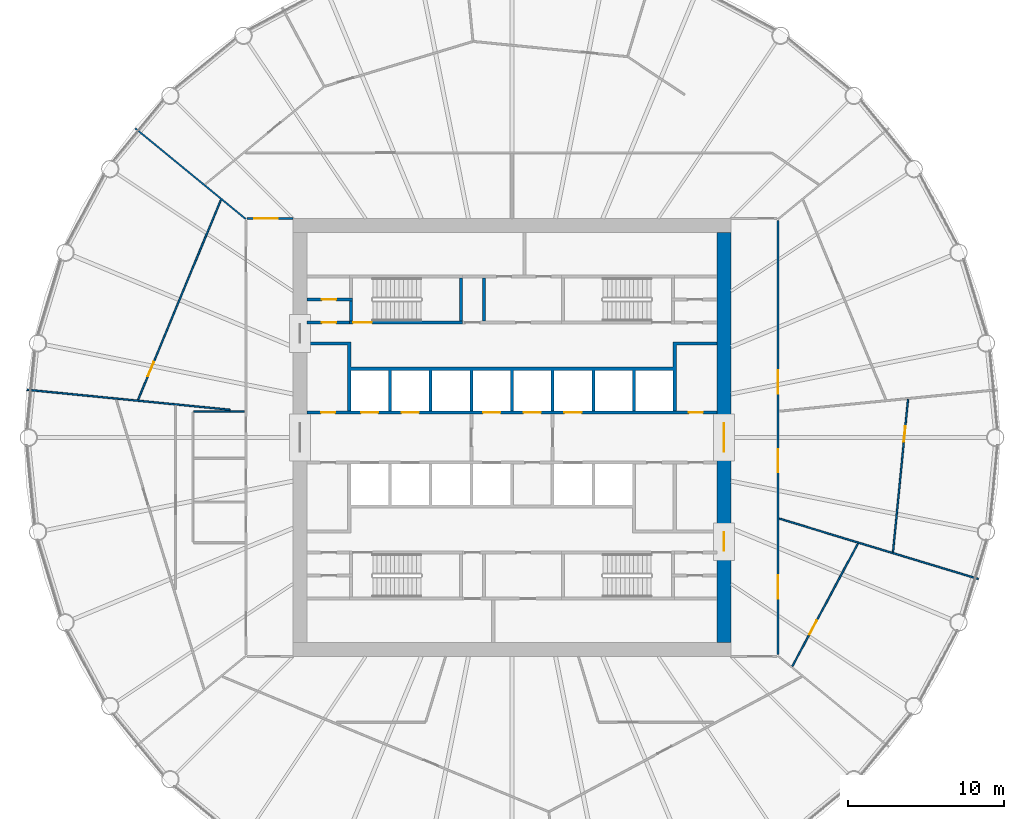
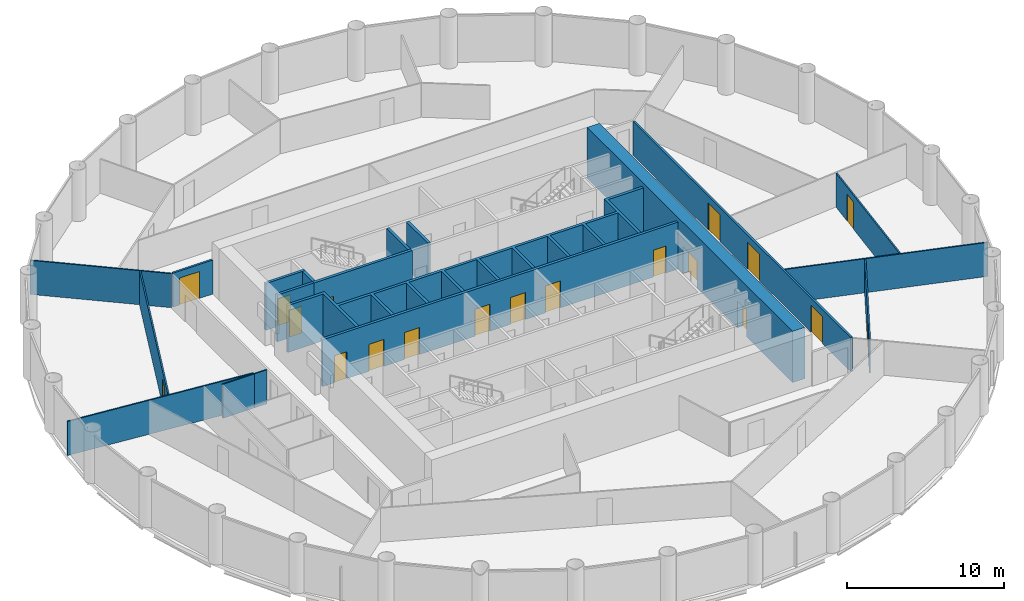
# One storey, part 6 of 9: 19 doors, 19 walls, 19 openings.
"""IFC4 building model written with IfcOpenShell, lengths in metres."""

from ifc_helpers import new_model, si_unit, direction, frame, frame_2d, origin, place, context, subcontext, project, spatial, polyline, rectangle, outline, extrude, material, layer, layer_set, type_object, element, fill, save


model = new_model("IFC4")

# Units and contexts
model_context = context("Model", 3, precision=1e-05, world=origin(), true_north=direction((0.0, 1.0)))
body_context = subcontext(model_context, "Body", "Model", "MODEL_VIEW")
ifc_project = project(units=[si_unit("LENGTHUNIT", "METRE"), si_unit("AREAUNIT", "SQUARE_METRE"), si_unit("VOLUMEUNIT", "CUBIC_METRE"), si_unit("PLANEANGLEUNIT", "RADIAN"), si_unit("MASSUNIT", "GRAM", prefix="KILO")], contexts=[model_context])

# Site, building, storey
site_placement = place(None, origin())
site = spatial("IfcSite", under=ifc_project, at=site_placement, CompositionType="ELEMENT")
building_placement = place(site_placement, origin())
building = spatial("IfcBuilding", under=site, at=building_placement, Name="Corvane Civic Tower", CompositionType="ELEMENT")
storey_placement = place(building_placement, frame((0.0, 0.0, 192.0)))
storey = spatial("IfcBuildingStorey", under=building, at=storey_placement, Name="L45", CompositionType="ELEMENT", Elevation=192.0)

# Wall, openings, doors
ifc_material_1 = material(Name="Concrete C60/75", Category="concrete")
ifc_layer_1 = layer(ifc_material_1, 0.89990234375)
ifc_layer_set_1 = layer_set([ifc_layer_1], Name="Concrete C60/75")
wall_type_1 = type_object("IfcWallType", Name="CORE WALL 900 C60/75", PredefinedType="SHEAR", material=ifc_layer_set_1)
wall_1_placement = place(storey_placement, frame((13.550048828125, -13.10009765625, 0.0), z_axis=(0.0, 0.0, 1.0), x_axis=(0.0, 1.0, 0.0)))
wall_1 = element("IfcWall", 1, at=wall_1_placement, inside=storey, type_object=wall_type_1, Name="W-L45-core-E", PredefinedType="SHEAR", context=body_context, shape_type="SweptSolid", body=[
    extrude(rectangle(XDim=26.2001953125, YDim=0.89990234375, at=frame_2d((13.10009765625, 0.0))), origin(), (0.0, 0.0, 1.0), 4.0),
])
opening_1_placement = place(wall_1_placement, frame((12.199951171875, 0.0, 0.0)))
opening_1 = element("IfcOpeningElement", 2, at=opening_1_placement, cuts=wall_1, Name="Opening L45.C30", PredefinedType="OPENING", context=body_context, shape_type="SweptSolid", body=[
    extrude(rectangle(XDim=1.800048828125, YDim=2.10009765625, at=frame_2d((0.89990234375, 1.050048828125))), frame((0.0, 0.4599609375, 0.0), z_axis=(0.0, -1.0, 0.0), x_axis=(1.0, 0.0, 0.0)), (0.0, 0.0, 1.0), 0.919921875),
])
opening_2_placement = place(wall_1_placement, frame((5.85009765625, 0.0, 0.0)))
opening_2 = element("IfcOpeningElement", 3, at=opening_2_placement, cuts=wall_1, Name="Opening L45.C32", PredefinedType="OPENING", context=body_context, shape_type="SweptSolid", body=[
    extrude(rectangle(XDim=1.199951171875, YDim=2.10009765625, at=frame_2d((0.60009765625, 1.050048828125))), frame((0.0, 0.4599609375, 0.0), z_axis=(0.0, -1.0, 0.0), x_axis=(1.0, 0.0, 0.0)), (0.0, 0.0, 1.0), 0.919921875),
])
ifc_material_2 = material(Name="Steel fire door leaf", Category="steel")
door_type_1 = type_object("IfcDoorType", Name="CR-DOOR-CORE-1800", OperationType="DOUBLE_DOOR_SINGLE_SWING", PredefinedType="DOOR", material=ifc_material_2)
door_1_placement = place(opening_1_placement, origin())
door_1 = element("IfcDoor", 4, at=door_1_placement, inside=storey, type_object=door_type_1, Name="L45 door", OperationType="DOUBLE_DOOR_SINGLE_SWING", OverallHeight=2.10009765625, OverallWidth=1.800048828125, PredefinedType="DOOR", context=body_context, shape_type="SweptSolid", body=[
    extrude(rectangle(XDim=1.800048828125, YDim=2.10009765625, at=frame_2d((0.89990234375, 1.050048828125))), frame((0.0, 0.02490234375, 0.0), z_axis=(0.0, -1.0, 0.0), x_axis=(1.0, 0.0, 0.0)), (0.0, 0.0, 1.0), 0.050048828125),
])
fill(opening_1, door_1)
door_2_placement = place(opening_2_placement, origin())
door_2 = element("IfcDoor", 5, at=door_2_placement, inside=storey, type_object=door_type_1, Name="L45 door", OperationType="DOUBLE_DOOR_SINGLE_SWING", OverallHeight=2.10009765625, OverallWidth=1.199951171875, PredefinedType="DOOR", context=body_context, shape_type="SweptSolid", body=[
    extrude(rectangle(XDim=1.199951171875, YDim=2.10009765625, at=frame_2d((0.60009765625, 1.050048828125))), frame((0.0, 0.02490234375, 0.0), z_axis=(0.0, -1.0, 0.0), x_axis=(1.0, 0.0, 0.0)), (0.0, 0.0, 1.0), 0.050048828125),
])
fill(opening_2, door_2)

ifc_material_3 = material(Name="Concrete C30/37", Category="concrete")
ifc_layer_2 = layer(ifc_material_3, 0.199951171875)
ifc_layer_set_2 = layer_set([ifc_layer_2], Name="Concrete C30/37")
wall_type_2 = type_object("IfcWallType", Name="CR-WALL-200", PredefinedType="PARTITIONING", material=ifc_layer_set_2)
wall_2_placement = place(storey_placement, frame((-13.10009765625, 1.60009765625, 0.0), z_axis=(0.0, 0.0, 1.0), x_axis=(1.0, 0.0, 0.0)))
wall_2 = element("IfcWall", 6, at=wall_2_placement, inside=storey, type_object=wall_type_2, Name="L45 lift shaft wall", PredefinedType="PARTITIONING", context=body_context, shape_type="SweptSolid", body=[
    extrude(rectangle(XDim=26.2001953125, YDim=0.199951171875, at=frame_2d((13.10009765625, 0.0))), origin(), (0.0, 0.0, 1.0), 3.64990234375),
])
opening_3_placement = place(wall_2_placement, frame((3.449951171875, 0.0, 0.0)))
opening_3 = element("IfcOpeningElement", 7, at=opening_3_placement, cuts=wall_2, Name="Opening LD", PredefinedType="OPENING", context=body_context, shape_type="SweptSolid", body=[
    extrude(rectangle(XDim=1.10009765625, YDim=2.10009765625, at=frame_2d((0.550048828125, 1.050048828125))), frame((0.0, 0.10986328125, 0.0), z_axis=(0.0, -1.0, 0.0), x_axis=(1.0, 0.0, 0.0)), (0.0, 0.0, 1.0), 0.219970703125),
])
opening_4_placement = place(wall_2_placement, frame((6.050048828125, 0.0, 0.0)))
opening_4 = element("IfcOpeningElement", 8, at=opening_4_placement, cuts=wall_2, Name="Opening LD", PredefinedType="OPENING", context=body_context, shape_type="SweptSolid", body=[
    extrude(rectangle(XDim=1.10009765625, YDim=2.10009765625, at=frame_2d((0.550048828125, 1.050048828125))), frame((0.0, 0.10986328125, 0.0), z_axis=(0.0, -1.0, 0.0), x_axis=(1.0, 0.0, 0.0)), (0.0, 0.0, 1.0), 0.219970703125),
])
opening_5_placement = place(wall_2_placement, frame((11.25, 0.0, 0.0)))
opening_5 = element("IfcOpeningElement", 9, at=opening_5_placement, cuts=wall_2, Name="Opening LD", PredefinedType="OPENING", context=body_context, shape_type="SweptSolid", body=[
    extrude(rectangle(XDim=1.10009765625, YDim=2.10009765625, at=frame_2d((0.550048828125, 1.050048828125))), frame((0.0, 0.10986328125, 0.0), z_axis=(0.0, -1.0, 0.0), x_axis=(1.0, 0.0, 0.0)), (0.0, 0.0, 1.0), 0.219970703125),
])
opening_6_placement = place(wall_2_placement, frame((13.85009765625, 0.0, 0.0)))
opening_6 = element("IfcOpeningElement", 10, at=opening_6_placement, cuts=wall_2, Name="Opening LD", PredefinedType="OPENING", context=body_context, shape_type="SweptSolid", body=[
    extrude(rectangle(XDim=1.10009765625, YDim=2.10009765625, at=frame_2d((0.550048828125, 1.050048828125))), frame((0.0, 0.10986328125, 0.0), z_axis=(0.0, -1.0, 0.0), x_axis=(1.0, 0.0, 0.0)), (0.0, 0.0, 1.0), 0.219970703125),
])
opening_7_placement = place(wall_2_placement, frame((16.449951171875, 0.0, 0.0)))
opening_7 = element("IfcOpeningElement", 11, at=opening_7_placement, cuts=wall_2, Name="Opening LD", PredefinedType="OPENING", context=body_context, shape_type="SweptSolid", body=[
    extrude(rectangle(XDim=1.10009765625, YDim=2.10009765625, at=frame_2d((0.550048828125, 1.050048828125))), frame((0.0, 0.10986328125, 0.0), z_axis=(0.0, -1.0, 0.0), x_axis=(1.0, 0.0, 0.0)), (0.0, 0.0, 1.0), 0.219970703125),
])
opening_8_placement = place(wall_2_placement, frame((0.89990234375, 0.0, 0.0)))
opening_8 = element("IfcOpeningElement", 12, at=opening_8_placement, cuts=wall_2, Name="Opening L45.C01", PredefinedType="OPENING", context=body_context, shape_type="SweptSolid", body=[
    extrude(rectangle(XDim=0.89990234375, YDim=2.10009765625, at=frame_2d((0.449951171875, 1.050048828125))), frame((0.0, 0.10986328125, 0.0), z_axis=(0.0, -1.0, 0.0), x_axis=(1.0, 0.0, 0.0)), (0.0, 0.0, 1.0), 0.219970703125),
])
opening_9_placement = place(wall_2_placement, frame((24.39990234375, 0.0, 0.0)))
opening_9 = element("IfcOpeningElement", 13, at=opening_9_placement, cuts=wall_2, Name="Opening L45.C02", PredefinedType="OPENING", context=body_context, shape_type="SweptSolid", body=[
    extrude(rectangle(XDim=0.89990234375, YDim=2.10009765625, at=frame_2d((0.449951171875, 1.050048828125))), frame((0.0, 0.10986328125, 0.0), z_axis=(0.0, -1.0, 0.0), x_axis=(1.0, 0.0, 0.0)), (0.0, 0.0, 1.0), 0.219970703125),
])
ifc_material_4 = material(Name="Steel fire door leaf", Category="steel")
door_type_2 = type_object("IfcDoorType", Name="CR-DOOR-900", OperationType="SINGLE_SWING_LEFT", PredefinedType="DOOR", material=ifc_material_4)
door_3_placement = place(opening_8_placement, origin())
door_3 = element("IfcDoor", 14, at=door_3_placement, inside=storey, type_object=door_type_2, Name="L45 door", OperationType="SINGLE_SWING_LEFT", OverallHeight=2.10009765625, OverallWidth=0.89990234375, PredefinedType="DOOR", context=body_context, shape_type="SweptSolid", body=[
    extrude(rectangle(XDim=0.89990234375, YDim=2.10009765625, at=frame_2d((0.449951171875, 1.050048828125))), frame((0.0, 0.02490234375, 0.0), z_axis=(0.0, -1.0, 0.0), x_axis=(1.0, 0.0, 0.0)), (0.0, 0.0, 1.0), 0.050048828125),
])
fill(opening_8, door_3)
door_4_placement = place(opening_9_placement, origin())
door_4 = element("IfcDoor", 15, at=door_4_placement, inside=storey, type_object=door_type_2, Name="L45 door", OperationType="SINGLE_SWING_LEFT", OverallHeight=2.10009765625, OverallWidth=0.89990234375, PredefinedType="DOOR", context=body_context, shape_type="SweptSolid", body=[
    extrude(rectangle(XDim=0.89990234375, YDim=2.10009765625, at=frame_2d((0.449951171875, 1.050048828125))), frame((0.0, 0.02490234375, 0.0), z_axis=(0.0, -1.0, 0.0), x_axis=(1.0, 0.0, 0.0)), (0.0, 0.0, 1.0), 0.050048828125),
])
fill(opening_9, door_4)
ifc_material_5 = material(Name="Stainless steel 316 door leaves", Category="steel")
door_type_3 = type_object("IfcDoorType", Name="LD", OperationType="DOUBLE_DOOR_SLIDING", PredefinedType="DOOR", material=ifc_material_5)
door_5_placement = place(opening_3_placement, origin())
door_5 = element("IfcDoor", 16, at=door_5_placement, inside=storey, type_object=door_type_3, Name="L45 landing door", OperationType="DOUBLE_DOOR_SLIDING", OverallHeight=2.10009765625, OverallWidth=1.10009765625, PredefinedType="DOOR", context=body_context, shape_type="SweptSolid", body=[
    extrude(rectangle(XDim=1.10009765625, YDim=2.10009765625, at=frame_2d((0.550048828125, 1.050048828125))), frame((0.0, 0.02490234375, 0.0), z_axis=(0.0, -1.0, 0.0), x_axis=(1.0, 0.0, 0.0)), (0.0, 0.0, 1.0), 0.050048828125),
])
fill(opening_3, door_5)
door_6_placement = place(opening_4_placement, origin())
door_6 = element("IfcDoor", 17, at=door_6_placement, inside=storey, type_object=door_type_3, Name="L45 landing door", OperationType="DOUBLE_DOOR_SLIDING", OverallHeight=2.10009765625, OverallWidth=1.10009765625, PredefinedType="DOOR", context=body_context, shape_type="SweptSolid", body=[
    extrude(rectangle(XDim=1.10009765625, YDim=2.10009765625, at=frame_2d((0.550048828125, 1.050048828125))), frame((0.0, 0.02490234375, 0.0), z_axis=(0.0, -1.0, 0.0), x_axis=(1.0, 0.0, 0.0)), (0.0, 0.0, 1.0), 0.050048828125),
])
fill(opening_4, door_6)
door_7_placement = place(opening_5_placement, origin())
door_7 = element("IfcDoor", 18, at=door_7_placement, inside=storey, type_object=door_type_3, Name="L45 landing door", OperationType="DOUBLE_DOOR_SLIDING", OverallHeight=2.10009765625, OverallWidth=1.10009765625, PredefinedType="DOOR", context=body_context, shape_type="SweptSolid", body=[
    extrude(rectangle(XDim=1.10009765625, YDim=2.10009765625, at=frame_2d((0.550048828125, 1.050048828125))), frame((0.0, 0.02490234375, 0.0), z_axis=(0.0, -1.0, 0.0), x_axis=(1.0, 0.0, 0.0)), (0.0, 0.0, 1.0), 0.050048828125),
])
fill(opening_5, door_7)
door_8_placement = place(opening_6_placement, origin())
door_8 = element("IfcDoor", 19, at=door_8_placement, inside=storey, type_object=door_type_3, Name="L45 landing door", OperationType="DOUBLE_DOOR_SLIDING", OverallHeight=2.10009765625, OverallWidth=1.10009765625, PredefinedType="DOOR", context=body_context, shape_type="SweptSolid", body=[
    extrude(rectangle(XDim=1.10009765625, YDim=2.10009765625, at=frame_2d((0.550048828125, 1.050048828125))), frame((0.0, 0.02490234375, 0.0), z_axis=(0.0, -1.0, 0.0), x_axis=(1.0, 0.0, 0.0)), (0.0, 0.0, 1.0), 0.050048828125),
])
fill(opening_6, door_8)
door_9_placement = place(opening_7_placement, origin())
door_9 = element("IfcDoor", 20, at=door_9_placement, inside=storey, type_object=door_type_3, Name="L45 landing door", OperationType="DOUBLE_DOOR_SLIDING", OverallHeight=2.10009765625, OverallWidth=1.10009765625, PredefinedType="DOOR", context=body_context, shape_type="SweptSolid", body=[
    extrude(rectangle(XDim=1.10009765625, YDim=2.10009765625, at=frame_2d((0.550048828125, 1.050048828125))), frame((0.0, 0.02490234375, 0.0), z_axis=(0.0, -1.0, 0.0), x_axis=(1.0, 0.0, 0.0)), (0.0, 0.0, 1.0), 0.050048828125),
])
fill(opening_7, door_9)

# Wall, opening, door
wall_3_placement = place(storey_placement, frame((-13.10009765625, 7.35009765625, 0.0), z_axis=(0.0, 0.0, 1.0), x_axis=(1.0, 0.0, 0.0)))
wall_3 = element("IfcWall", 21, at=wall_3_placement, inside=storey, type_object=wall_type_2, Name="L45 core partition wall", PredefinedType="PARTITIONING", context=body_context, shape_type="SweptSolid", body=[
    extrude(rectangle(XDim=2.7001953125, YDim=0.199951171875, at=frame_2d((1.35009765625, 0.0))), origin(), (0.0, 0.0, 1.0), 3.64990234375),
])
opening_10_placement = place(wall_3_placement, frame((0.949951171875, 0.0, 0.0)))
opening_10 = element("IfcOpeningElement", 22, at=opening_10_placement, cuts=wall_3, Name="Opening L45.C15", PredefinedType="OPENING", context=body_context, shape_type="SweptSolid", body=[
    extrude(rectangle(XDim=0.89990234375, YDim=2.10009765625, at=frame_2d((0.449951171875, 1.050048828125))), frame((0.0, 0.10986328125, 0.0), z_axis=(0.0, -1.0, 0.0), x_axis=(1.0, 0.0, 0.0)), (0.0, 0.0, 1.0), 0.219970703125),
])
door_10_placement = place(opening_10_placement, origin())
door_10 = element("IfcDoor", 23, at=door_10_placement, inside=storey, type_object=door_type_2, Name="L45 door", OperationType="SINGLE_SWING_LEFT", OverallHeight=2.10009765625, OverallWidth=0.89990234375, PredefinedType="DOOR", context=body_context, shape_type="SweptSolid", body=[
    extrude(rectangle(XDim=0.89990234375, YDim=2.10009765625, at=frame_2d((0.449951171875, 1.050048828125))), frame((0.0, 0.02490234375, 0.0), z_axis=(0.0, -1.0, 0.0), x_axis=(1.0, 0.0, 0.0)), (0.0, 0.0, 1.0), 0.050048828125),
])
fill(opening_10, door_10)

wall_4_placement = place(storey_placement, frame((-13.10009765625, 8.824951171875, 0.0), z_axis=(0.0, 0.0, 1.0), x_axis=(1.0, 0.0, 0.0)))
wall_4 = element("IfcWall", 24, at=wall_4_placement, inside=storey, type_object=wall_type_2, Name="L45 partition wall", PredefinedType="PARTITIONING", context=body_context, shape_type="SweptSolid", body=[
    extrude(rectangle(XDim=2.900146484375, YDim=0.199951171875, at=frame_2d((1.4501953125, 0.0))), origin(), (0.0, 0.0, 1.0), 3.64990234375),
])
opening_11_placement = place(wall_4_placement, frame((0.949951171875, 0.0, 0.0)))
opening_11 = element("IfcOpeningElement", 25, at=opening_11_placement, cuts=wall_4, Name="Opening L45.C16", PredefinedType="OPENING", context=body_context, shape_type="SweptSolid", body=[
    extrude(rectangle(XDim=0.89990234375, YDim=2.10009765625, at=frame_2d((0.449951171875, 1.050048828125))), frame((0.0, 0.10986328125, 0.0), z_axis=(0.0, -1.0, 0.0), x_axis=(1.0, 0.0, 0.0)), (0.0, 0.0, 1.0), 0.219970703125),
])
door_11_placement = place(opening_11_placement, origin())
door_11 = element("IfcDoor", 26, at=door_11_placement, inside=storey, type_object=door_type_2, Name="L45 door", OperationType="SINGLE_SWING_LEFT", OverallHeight=2.10009765625, OverallWidth=0.89990234375, PredefinedType="DOOR", context=body_context, shape_type="SweptSolid", body=[
    extrude(rectangle(XDim=0.89990234375, YDim=2.10009765625, at=frame_2d((0.449951171875, 1.050048828125))), frame((0.0, 0.02490234375, 0.0), z_axis=(0.0, -1.0, 0.0), x_axis=(1.0, 0.0, 0.0)), (0.0, 0.0, 1.0), 0.050048828125),
])
fill(opening_11, door_11)

# Walls
wall_5_placement = place(storey_placement, origin())
element("IfcWall", 27, at=wall_5_placement, inside=storey, type_object=wall_type_2, Name="L45 core partition wall", PredefinedType="PARTITIONING", context=body_context, shape_type="SweptSolid", body=[
    extrude(outline(polyline([(-1.699951171875, 7.449951171875), (-1.89990234375, 7.449951171875), (-1.89990234375, 10.199951171875), (-1.699951171875, 10.199951171875), (-1.699951171875, 7.449951171875)])), origin(), (0.0, 0.0, 1.0), 3.64990234375),
])
wall_6_placement = place(storey_placement, origin())
element("IfcWall", 28, at=wall_6_placement, inside=storey, type_object=wall_type_2, Name="L45 core partition wall", PredefinedType="PARTITIONING", context=body_context, shape_type="SweptSolid", body=[
    extrude(outline(polyline([(-7.699951171875, 1.699951171875), (-7.89990234375, 1.699951171875), (-7.89990234375, 4.300048828125), (-10.300048828125, 4.300048828125), (-10.300048828125, 1.699951171875), (-10.5, 1.699951171875), (-10.5, 5.89990234375), (-13.10009765625, 5.89990234375), (-13.10009765625, 6.10009765625), (-10.300048828125, 6.10009765625), (-10.300048828125, 4.5), (10.300048828125, 4.5), (10.300048828125, 6.10009765625), (13.10009765625, 6.10009765625), (13.10009765625, 5.89990234375), (10.5, 5.89990234375), (10.5, 1.699951171875), (10.300048828125, 1.699951171875), (10.300048828125, 4.300048828125), (7.89990234375, 4.300048828125), (7.89990234375, 1.699951171875), (7.699951171875, 1.699951171875), (7.699951171875, 4.300048828125), (5.300048828125, 4.300048828125), (5.300048828125, 1.699951171875), (5.10009765625, 1.699951171875), (5.10009765625, 4.300048828125), (2.699951171875, 4.300048828125), (2.699951171875, 1.699951171875), (2.5, 1.699951171875), (2.5, 4.300048828125), (0.10009765625, 4.300048828125), (0.10009765625, 1.699951171875), (-0.10009765625, 1.699951171875), (-0.10009765625, 4.300048828125), (-2.5, 4.300048828125), (-2.5, 1.699951171875), (-2.699951171875, 1.699951171875), (-2.699951171875, 4.300048828125), (-5.10009765625, 4.300048828125), (-5.10009765625, 1.699951171875), (-5.300048828125, 1.699951171875), (-5.300048828125, 4.300048828125), (-7.699951171875, 4.300048828125), (-7.699951171875, 1.699951171875)])), origin(), (0.0, 0.0, 1.0), 3.64990234375),
])

# Wall, opening, door
ifc_material_6 = material(Name="Plasterboard")
ifc_layer_3 = layer(ifc_material_6, 0.10009765625)
ifc_layer_set_3 = layer_set([ifc_layer_3], Name="Plasterboard")
wall_type_3 = type_object("IfcWallType", Name="Partition 100 plasterboard on studs", PredefinedType="PARTITIONING", material=ifc_layer_set_3)
wall_7_placement = place(storey_placement, frame((17.91650390625, -14.62646484375, 0.0), z_axis=(0.0, 0.0, 1.0), x_axis=(0.471408881641, 0.881914772702, 0.0)))
wall_7 = element("IfcWall", 29, at=wall_7_placement, inside=storey, type_object=wall_type_3, Name="Partition L45.011", PredefinedType="PARTITIONING", context=body_context, shape_type="SweptSolid", body=[
    extrude(rectangle(XDim=8.9072265625, YDim=0.10009765625, at=frame_2d((4.45361328125, 0.0))), origin(), (0.0, 0.0, 1.0), 2.64990234375),
])
opening_12_placement = place(wall_7_placement, frame((2.319091796875, 0.0, 0.0)))
opening_12 = element("IfcOpeningElement", 30, at=opening_12_placement, cuts=wall_7, Name="Opening L45.016", PredefinedType="OPENING", context=body_context, shape_type="SweptSolid", body=[
    extrude(rectangle(XDim=1.0, YDim=2.10009765625, at=frame_2d((0.5, 1.050048828125))), frame((0.0, 0.06005859375, 0.0), z_axis=(0.0, -1.0, 0.0), x_axis=(1.0, 0.0, 0.0)), (0.0, 0.0, 1.0), 0.1201171875),
])
ifc_material_7 = material(Name="Timber", Category="wood")
door_type_4 = type_object("IfcDoorType", Name="Single door 1000", OperationType="NOTDEFINED", PredefinedType="DOOR", material=ifc_material_7)
door_12_placement = place(opening_12_placement, frame((1.0, 0.0, 0.0), z_axis=(0.0, 0.0, 1.0), x_axis=(-1.0, 0.0, 0.0)))
door_12 = element("IfcDoor", 31, at=door_12_placement, inside=storey, type_object=door_type_4, Name="Door L45.016", OperationType="SINGLE_SWING_RIGHT", OverallHeight=2.10009765625, OverallWidth=1.0, PredefinedType="DOOR", context=body_context, shape_type="SweptSolid", body=[
    extrude(rectangle(XDim=1.0, YDim=2.10009765625, at=frame_2d((0.5, 1.050048828125))), frame((0.0, 0.02490234375, 0.0), z_axis=(0.0, -1.0, 0.0), x_axis=(1.0, 0.0, 0.0)), (0.0, 0.0, 1.0), 0.050048828125),
])
fill(opening_12, door_12)

# Wall
wall_8_placement = place(storey_placement, frame((17.089599609375, -5.18408203125, 0.0), z_axis=(0.0, 0.0, 1.0), x_axis=(0.956939088308, -0.290288789428, 0.0)))
element("IfcWall", 32, at=wall_8_placement, inside=storey, type_object=wall_type_3, Name="Partition L45.018", PredefinedType="PARTITIONING", context=body_context, shape_type="SweptSolid", body=[
    extrude(rectangle(XDim=13.29150390625, YDim=0.10009765625, at=frame_2d((6.645751953125, 0.0))), origin(), (0.0, 0.0, 1.0), 2.64990234375),
])

# Wall, opening, door
wall_9_placement = place(storey_placement, frame((24.353759765625, -7.3251953125, 0.0), z_axis=(0.0, 0.0, 1.0), x_axis=(0.09802207489, 0.995184240648, 0.0)))
wall_9 = element("IfcWall", 33, at=wall_9_placement, inside=storey, type_object=wall_type_3, Name="Partition L45.019", PredefinedType="PARTITIONING", context=body_context, shape_type="SweptSolid", body=[
    extrude(rectangle(XDim=9.8056640625, YDim=0.10009765625, at=frame_2d((4.90283203125, 0.0))), origin(), (0.0, 0.0, 1.0), 2.64990234375),
])
opening_13_placement = place(wall_9_placement, frame((7.084228515625, 0.0, 0.0)))
opening_13 = element("IfcOpeningElement", 34, at=opening_13_placement, cuts=wall_9, Name="Opening L45.014", PredefinedType="OPENING", context=body_context, shape_type="SweptSolid", body=[
    extrude(rectangle(XDim=1.0, YDim=2.10009765625, at=frame_2d((0.5, 1.050048828125))), frame((0.0, 0.06005859375, 0.0), z_axis=(0.0, -1.0, 0.0), x_axis=(1.0, 0.0, 0.0)), (0.0, 0.0, 1.0), 0.1201171875),
])
door_13_placement = place(opening_13_placement, frame((1.0, 0.0, 0.0), z_axis=(0.0, 0.0, 1.0), x_axis=(-1.0, 0.0, 0.0)))
door_13 = element("IfcDoor", 35, at=door_13_placement, inside=storey, type_object=door_type_4, Name="Door L45.014", OperationType="SINGLE_SWING_LEFT", OverallHeight=2.10009765625, OverallWidth=1.0, PredefinedType="DOOR", context=body_context, shape_type="SweptSolid", body=[
    extrude(rectangle(XDim=1.0, YDim=2.10009765625, at=frame_2d((0.5, 1.050048828125))), frame((0.0, 0.02490234375, 0.0), z_axis=(0.0, -1.0, 0.0), x_axis=(1.0, 0.0, 0.0)), (0.0, 0.0, 1.0), 0.050048828125),
])
fill(opening_13, door_13)

# Walls
wall_10_placement = place(storey_placement, frame((-20.35009765625, 1.67431640625, 0.0), z_axis=(0.0, 0.0, 1.0), x_axis=(1.0, 0.0, 0.0)))
element("IfcWall", 36, at=wall_10_placement, inside=storey, type_object=wall_type_3, Name="Partition L45.024", PredefinedType="PARTITIONING", context=body_context, shape_type="SweptSolid", body=[
    extrude(rectangle(XDim=2.33203125, YDim=0.10009765625, at=frame_2d((1.166015625, 0.0))), origin(), (0.0, 0.0, 1.0), 2.64990234375),
])
wall_11_placement = place(storey_placement, frame((-31.000244140625, 3.05322265625, 0.0), z_axis=(0.0, 0.0, 1.0), x_axis=(0.995185183254, -0.098012504466, 0.0)))
element("IfcWall", 37, at=wall_11_placement, inside=storey, type_object=wall_type_3, Name="Partition L45.026", PredefinedType="PARTITIONING", context=body_context, shape_type="SweptSolid", body=[
    extrude(rectangle(XDim=13.0498046875, YDim=0.10009765625, at=frame_2d((6.52490234375, 0.0))), origin(), (0.0, 0.0, 1.0), 2.64990234375),
])

# Wall, opening, door
wall_12_placement = place(storey_placement, frame((-23.900146484375, 2.418701171875, 0.0), z_axis=(0.0, 0.0, 1.0), x_axis=(0.382690797322, 0.923876481812, 0.0)))
wall_12 = element("IfcWall", 38, at=wall_12_placement, inside=storey, type_object=wall_type_3, Name="Partition L45.027", PredefinedType="PARTITIONING", context=body_context, shape_type="SweptSolid", body=[
    extrude(rectangle(XDim=13.8232421875, YDim=0.10009765625, at=frame_2d((6.91162109375, 0.0))), origin(), (0.0, 0.0, 1.0), 2.64990234375),
])
opening_14_placement = place(wall_12_placement, frame((1.61669921875, 0.0, 0.0)))
opening_14 = element("IfcOpeningElement", 39, at=opening_14_placement, cuts=wall_12, Name="Opening L45.024", PredefinedType="OPENING", context=body_context, shape_type="SweptSolid", body=[
    extrude(rectangle(XDim=1.0, YDim=2.10009765625, at=frame_2d((0.5, 1.050048828125))), frame((0.0, 0.06005859375, 0.0), z_axis=(0.0, -1.0, 0.0), x_axis=(1.0, 0.0, 0.0)), (0.0, 0.0, 1.0), 0.1201171875),
])
door_14_placement = place(opening_14_placement, origin())
door_14 = element("IfcDoor", 40, at=door_14_placement, inside=storey, type_object=door_type_4, Name="Door L45.024", OperationType="SINGLE_SWING_LEFT", OverallHeight=2.10009765625, OverallWidth=1.0, PredefinedType="DOOR", context=body_context, shape_type="SweptSolid", body=[
    extrude(rectangle(XDim=1.0, YDim=2.10009765625, at=frame_2d((0.5, 1.050048828125))), frame((0.0, 0.02490234375, 0.0), z_axis=(0.0, -1.0, 0.0), x_axis=(1.0, 0.0, 0.0)), (0.0, 0.0, 1.0), 0.050048828125),
])
fill(opening_14, door_14)

# Walls
wall_13_placement = place(storey_placement, frame((-24.079345703125, 19.761474609375, 0.0), z_axis=(0.0, 0.0, 1.0), x_axis=(0.773006154143, -0.634398522742, 0.0)))
element("IfcWall", 41, at=wall_13_placement, inside=storey, type_object=wall_type_3, Name="Partition L45.029", PredefinedType="PARTITIONING", context=body_context, shape_type="SweptSolid", body=[
    extrude(rectangle(XDim=9.134521484375, YDim=0.10009765625, at=frame_2d((4.5673828125, 0.0))), origin(), (0.0, 0.0, 1.0), 2.64990234375),
])
wall_14_placement = place(storey_placement, frame((-18.01806640625, 1.67529296875, 0.0), z_axis=(0.0, 0.0, 1.0), x_axis=(1.0, 0.0, 0.0)))
element("IfcWall", 42, at=wall_14_placement, inside=storey, type_object=wall_type_3, Name="Partition L45.044", PredefinedType="PARTITIONING", context=body_context, shape_type="SweptSolid", body=[
    extrude(rectangle(XDim=0.903076171875, YDim=0.10009765625, at=frame_2d((0.45166015625, 0.0))), origin(), (0.0, 0.0, 1.0), 2.64990234375),
])

# Wall, opening, door
ifc_material_8 = material(Name="Concrete C50/60", Category="concrete")
ifc_layer_4 = layer(ifc_material_8, 0.199951171875)
ifc_layer_set_4 = layer_set([ifc_layer_4], Name="Concrete C50/60")
wall_type_4 = type_object("IfcWallType", Name="ST-WALL-200", PredefinedType="SHEAR", material=ifc_layer_set_4)
wall_15_placement = place(storey_placement, frame((-10.39990234375, 7.35009765625, 0.0), z_axis=(0.0, 0.0, 1.0), x_axis=(1.0, 0.0, 0.0)))
wall_15 = element("IfcWall", 43, at=wall_15_placement, inside=storey, type_object=wall_type_4, Name="L45 stair enclosure wall", PredefinedType="SHEAR", context=body_context, shape_type="SweptSolid", body=[
    extrude(rectangle(XDim=7.25, YDim=0.199951171875, at=frame_2d((3.625, 0.0))), origin(), (0.0, 0.0, 1.0), 3.64990234375),
])
opening_15_placement = place(wall_15_placement, frame((0.25, 0.0, 0.0)))
opening_15 = element("IfcOpeningElement", 44, at=opening_15_placement, cuts=wall_15, Name="Opening L45.C24", PredefinedType="OPENING", context=body_context, shape_type="SweptSolid", body=[
    extrude(rectangle(XDim=1.199951171875, YDim=2.10009765625, at=frame_2d((0.60009765625, 1.050048828125))), frame((0.0, 0.10986328125, 0.0), z_axis=(0.0, -1.0, 0.0), x_axis=(1.0, 0.0, 0.0)), (0.0, 0.0, 1.0), 0.219970703125),
])
ifc_material_9 = material(Name="Steel fire door leaf", Category="steel")
door_type_5 = type_object("IfcDoorType", Name="ST-DOOR-1200", OperationType="SINGLE_SWING_RIGHT", PredefinedType="DOOR", material=ifc_material_9)
door_15_placement = place(opening_15_placement, origin())
door_15 = element("IfcDoor", 45, at=door_15_placement, inside=storey, type_object=door_type_5, Name="L45 stair door", OperationType="SINGLE_SWING_RIGHT", OverallHeight=2.10009765625, OverallWidth=1.199951171875, PredefinedType="DOOR", context=body_context, shape_type="SweptSolid", body=[
    extrude(rectangle(XDim=1.199951171875, YDim=2.10009765625, at=frame_2d((0.60009765625, 1.050048828125))), frame((0.0, 0.02490234375, 0.0), z_axis=(0.0, -1.0, 0.0), x_axis=(1.0, 0.0, 0.0)), (0.0, 0.0, 1.0), 0.050048828125),
])
fill(opening_15, door_15)

# Walls
wall_16_placement = place(storey_placement, origin())
element("IfcWall", 46, at=wall_16_placement, inside=storey, type_object=wall_type_4, Name="L45 stair enclosure wall", PredefinedType="SHEAR", context=body_context, shape_type="SweptSolid", body=[
    extrude(outline(polyline([(-3.14990234375, 7.449951171875), (-3.35009765625, 7.449951171875), (-3.35009765625, 10.199951171875), (-3.14990234375, 10.199951171875), (-3.14990234375, 7.449951171875)])), origin(), (0.0, 0.0, 1.0), 3.64990234375),
])
wall_17_placement = place(storey_placement, origin())
element("IfcWall", 47, at=wall_17_placement, inside=storey, type_object=wall_type_4, Name="L45 stair enclosure wall", PredefinedType="SHEAR", context=body_context, shape_type="SweptSolid", body=[
    extrude(outline(polyline([(-10.199951171875, 8.72509765625), (-10.199951171875, 7.449951171875), (-10.39990234375, 7.449951171875), (-10.39990234375, 8.72509765625), (-10.199951171875, 8.72509765625)])), origin(), (0.0, 0.0, 1.0), 3.64990234375),
])

# Wall, openings, doors
ifc_material_10 = material(Name="Plasterboard")
ifc_layer_5 = layer(ifc_material_10, 0.14990234375)
ifc_layer_set_5 = layer_set([ifc_layer_5], Name="Plasterboard")
wall_type_5 = type_object("IfcWallType", Name="Tenancy wall 150 EI 60", PredefinedType="PARTITIONING", material=ifc_layer_set_5)
wall_18_placement = place(storey_placement, frame((17.0, -13.87646484375, 0.0), z_axis=(0.0, 0.0, 1.0), x_axis=(0.0, 1.0, 0.0)))
wall_18 = element("IfcWall", 48, at=wall_18_placement, inside=storey, type_object=wall_type_5, Name="Partition L45.015", PredefinedType="PARTITIONING", context=body_context, shape_type="SweptSolid", body=[
    extrude(rectangle(XDim=27.7529296875, YDim=0.14990234375, at=frame_2d((13.87646484375, 0.0))), origin(), (0.0, 0.0, 1.0), 2.64990234375),
])
opening_16_placement = place(wall_18_placement, frame((16.66748046875, 0.0, 0.0)))
opening_16 = element("IfcOpeningElement", 49, at=opening_16_placement, cuts=wall_18, Name="Opening L45.013", PredefinedType="OPENING", context=body_context, shape_type="SweptSolid", body=[
    extrude(rectangle(XDim=1.5, YDim=2.10009765625, at=frame_2d((0.75, 1.050048828125))), frame((0.0, 0.0849609375, 0.0), z_axis=(0.0, -1.0, 0.0), x_axis=(1.0, 0.0, 0.0)), (0.0, 0.0, 1.0), 0.169921875),
])
opening_17_placement = place(wall_18_placement, frame((11.642578125, 0.0, 0.0)))
opening_17 = element("IfcOpeningElement", 50, at=opening_17_placement, cuts=wall_18, Name="Opening L45.015", PredefinedType="OPENING", context=body_context, shape_type="SweptSolid", body=[
    extrude(rectangle(XDim=1.5, YDim=2.10009765625, at=frame_2d((0.75, 1.050048828125))), frame((0.0, 0.0849609375, 0.0), z_axis=(0.0, -1.0, 0.0), x_axis=(1.0, 0.0, 0.0)), (0.0, 0.0, 1.0), 0.169921875),
])
opening_18_placement = place(wall_18_placement, frame((3.57080078125, 0.0, 0.0)))
opening_18 = element("IfcOpeningElement", 51, at=opening_18_placement, cuts=wall_18, Name="Opening L45.017", PredefinedType="OPENING", context=body_context, shape_type="SweptSolid", body=[
    extrude(rectangle(XDim=1.5, YDim=2.10009765625, at=frame_2d((0.75, 1.050048828125))), frame((0.0, 0.0849609375, 0.0), z_axis=(0.0, -1.0, 0.0), x_axis=(1.0, 0.0, 0.0)), (0.0, 0.0, 1.0), 0.169921875),
])
ifc_material_11 = material(Name="Steel and timber", Category="steel")
door_type_6 = type_object("IfcDoorType", Name="Fire door FD60 double 1500", OperationType="NOTDEFINED", PredefinedType="DOOR", material=ifc_material_11)
door_16_placement = place(opening_16_placement, frame((1.5, 0.0, 0.0), z_axis=(0.0, 0.0, 1.0), x_axis=(-1.0, 0.0, 0.0)))
door_16 = element("IfcDoor", 52, at=door_16_placement, inside=storey, type_object=door_type_6, Name="Door L45.013", OperationType="DOUBLE_DOOR_SINGLE_SWING", OverallHeight=2.10009765625, OverallWidth=1.5, PredefinedType="DOOR", context=body_context, shape_type="SweptSolid", body=[
    extrude(rectangle(XDim=1.5, YDim=2.10009765625, at=frame_2d((0.75, 1.050048828125))), frame((0.0, 0.02490234375, 0.0), z_axis=(0.0, -1.0, 0.0), x_axis=(1.0, 0.0, 0.0)), (0.0, 0.0, 1.0), 0.050048828125),
])
fill(opening_16, door_16)
door_17_placement = place(opening_17_placement, frame((1.5, 0.0, 0.0), z_axis=(0.0, 0.0, 1.0), x_axis=(-1.0, 0.0, 0.0)))
door_17 = element("IfcDoor", 53, at=door_17_placement, inside=storey, type_object=door_type_6, Name="Door L45.015", OperationType="DOUBLE_DOOR_SINGLE_SWING", OverallHeight=2.10009765625, OverallWidth=1.5, PredefinedType="DOOR", context=body_context, shape_type="SweptSolid", body=[
    extrude(rectangle(XDim=1.5, YDim=2.10009765625, at=frame_2d((0.75, 1.050048828125))), frame((0.0, 0.02490234375, 0.0), z_axis=(0.0, -1.0, 0.0), x_axis=(1.0, 0.0, 0.0)), (0.0, 0.0, 1.0), 0.050048828125),
])
fill(opening_17, door_17)
door_18_placement = place(opening_18_placement, frame((1.5, 0.0, 0.0), z_axis=(0.0, 0.0, 1.0), x_axis=(-1.0, 0.0, 0.0)))
door_18 = element("IfcDoor", 54, at=door_18_placement, inside=storey, type_object=door_type_6, Name="Door L45.017", OperationType="DOUBLE_DOOR_SINGLE_SWING", OverallHeight=2.10009765625, OverallWidth=1.5, PredefinedType="DOOR", context=body_context, shape_type="SweptSolid", body=[
    extrude(rectangle(XDim=1.5, YDim=2.10009765625, at=frame_2d((0.75, 1.050048828125))), frame((0.0, 0.02490234375, 0.0), z_axis=(0.0, -1.0, 0.0), x_axis=(1.0, 0.0, 0.0)), (0.0, 0.0, 1.0), 0.050048828125),
])
fill(opening_18, door_18)

# Wall, opening, door
wall_19_placement = place(storey_placement, frame((-16.925048828125, 14.0, 0.0), z_axis=(0.0, 0.0, 1.0), x_axis=(1.0, 0.0, 0.0)))
wall_19 = element("IfcWall", 55, at=wall_19_placement, inside=storey, type_object=wall_type_5, Name="Partition L45.031", PredefinedType="PARTITIONING", context=body_context, shape_type="SweptSolid", body=[
    extrude(rectangle(XDim=2.93505859375, YDim=0.14990234375, at=frame_2d((1.467529296875, 0.0))), origin(), (0.0, 0.0, 1.0), 2.64990234375),
])
opening_19_placement = place(wall_19_placement, frame((0.4599609375, 0.0, 0.0)))
opening_19 = element("IfcOpeningElement", 56, at=opening_19_placement, cuts=wall_19, Name="Opening L45.005", PredefinedType="OPENING", context=body_context, shape_type="SweptSolid", body=[
    extrude(rectangle(XDim=1.5, YDim=2.10009765625, at=frame_2d((0.75, 1.050048828125))), frame((0.0, 0.0849609375, 0.0), z_axis=(0.0, -1.0, 0.0), x_axis=(1.0, 0.0, 0.0)), (0.0, 0.0, 1.0), 0.169921875),
])
door_19_placement = place(opening_19_placement, origin())
door_19 = element("IfcDoor", 57, at=door_19_placement, inside=storey, type_object=door_type_6, Name="Door L45.005", OperationType="DOUBLE_DOOR_SINGLE_SWING", OverallHeight=2.10009765625, OverallWidth=1.5, PredefinedType="DOOR", context=body_context, shape_type="SweptSolid", body=[
    extrude(rectangle(XDim=1.5, YDim=2.10009765625, at=frame_2d((0.75, 1.050048828125))), frame((0.0, 0.02490234375, 0.0), z_axis=(0.0, -1.0, 0.0), x_axis=(1.0, 0.0, 0.0)), (0.0, 0.0, 1.0), 0.050048828125),
])
fill(opening_19, door_19)

save(model, "model.ifc")
